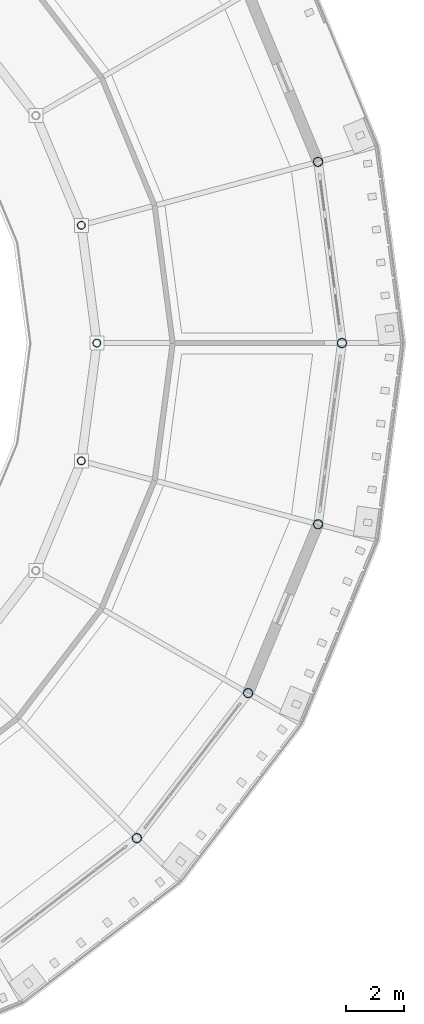
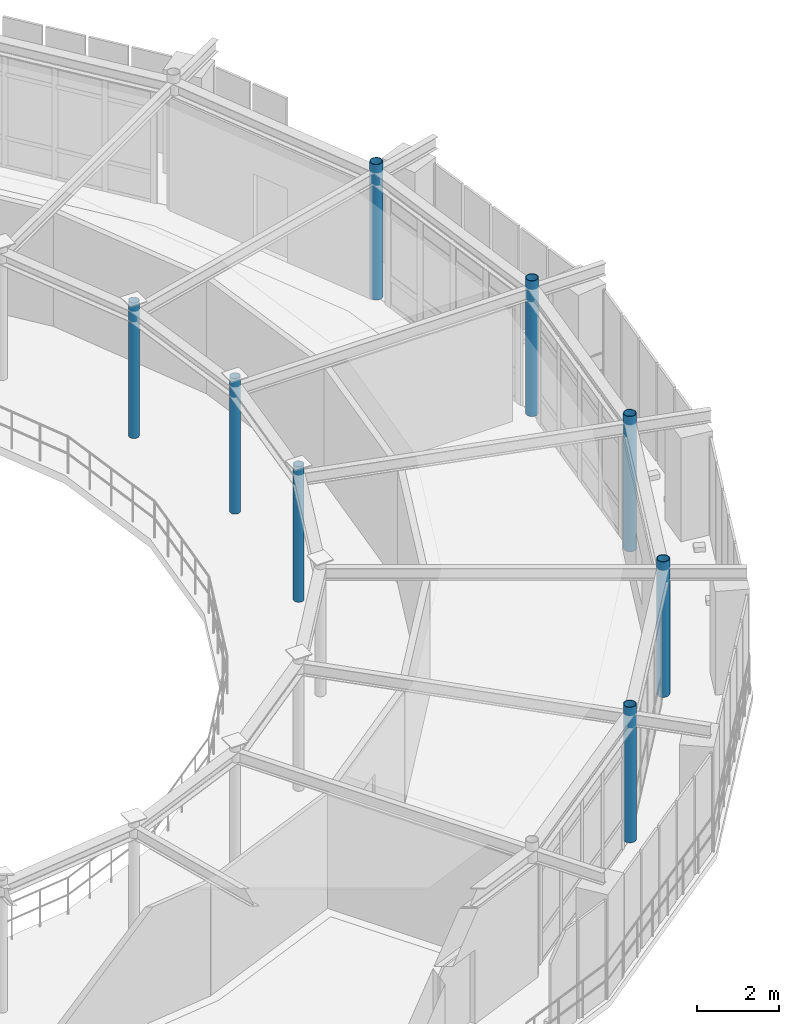
# One storey, part 7 of 70: 8 columns.
"""IFC4 building model written with IfcOpenShell, lengths in metres."""

from ifc_helpers import new_model, si_unit, derived_unit, direction, frame, origin, origin_2d, place, context, subcontext, project, spatial, hollow_circle, extrude, material, material_profile, profile_set, type_object, element, save


model = new_model("IFC4")

# Units and contexts
model_context = context("Model", 3, precision=1e-05, world=origin(), true_north=direction((0.0, 1.0)))
body_context = subcontext(model_context, "Body", "Model", "MODEL_VIEW")
ifc_project = project(units=[si_unit("LENGTHUNIT", "METRE"), si_unit("AREAUNIT", "SQUARE_METRE"), si_unit("VOLUMEUNIT", "CUBIC_METRE"), si_unit("PLANEANGLEUNIT", "RADIAN"), si_unit("MASSUNIT", "GRAM", prefix="KILO"), derived_unit("THERMALTRANSMITTANCEUNIT", [(si_unit("POWERUNIT", "WATT"), 1), (si_unit("AREAUNIT", "SQUARE_METRE"), -1), (si_unit("THERMODYNAMICTEMPERATUREUNIT", "KELVIN"), -1)])], contexts=[model_context])

# Site, building, storey
site_placement = place(None, origin())
site = spatial("IfcSite", under=ifc_project, at=site_placement, CompositionType="ELEMENT")
building_placement = place(site_placement, origin())
building = spatial("IfcBuilding", under=site, at=building_placement, Name="Yasenodar Specialist Clinic", CompositionType="ELEMENT")
storey_placement = place(building_placement, frame((0.0, 0.0, 13.199951171875)))
storey = spatial("IfcBuildingStorey", under=building, at=storey_placement, Name="L03", CompositionType="ELEMENT", Elevation=13.199951171875)

# Columns
ifc_material = material(Name="Steel S355", Category="steel")
ifc_material_profile_1 = material_profile(ifc_material, hollow_circle(Radius=0.136474609375, WallThickness=0.012451171875, at=origin_2d()), Name="CHS 273x12.5")
ifc_profile_set_1 = profile_set([ifc_material_profile_1], Name="Steel S355")
column_type_1 = type_object("IfcColumnType", Name="COL-ST-CHS273", PredefinedType="COLUMN", material=ifc_profile_set_1)
for number, where, z_axis, x_axis, name in (
    (1, (96.60009765625, 58.800048828125, 0.0), (0.0, 0.0, 1.0), (1.0, 0.0, 0.0), "L03 Drum V1 Inner Column 01"),
    (2, (96.068359375, 62.837646484375, 0.0), (0.0, 0.0, 1.0), (1.0, 0.0, 0.0), "L03 Drum V1 Inner Column 02"),
    (3, (96.068359375, 54.762451171875, 0.0), (0.0, 0.0, 1.0), (1.0, 0.0, 0.0), "L03 Drum V1 Inner Column 24"),
):
    element("IfcColumn", number, at=place(storey_placement, frame(where, z_axis=z_axis, x_axis=x_axis)), inside=storey, type_object=column_type_1, Name=name, PredefinedType="COLUMN", context=body_context, shape_type="SweptSolid", body=[
        extrude(hollow_circle(Radius=0.136474609375, WallThickness=0.012451171875, at=origin_2d()), origin(), (0.0, 0.0, 1.0), 4.050048828125),
    ])
ifc_material_profile_2 = material_profile(ifc_material, hollow_circle(Radius=0.161865234375, WallThickness=0.01611328125, at=origin_2d()), Name="CHS 323.9x16")
ifc_profile_set_2 = profile_set([ifc_material_profile_2], Name="Steel S355")
column_type_2 = type_object("IfcColumnType", Name="COL-ST-CHS324", PredefinedType="COLUMN", material=ifc_profile_set_2)
for number, where, z_axis, x_axis, name in (
    (4, (105.0, 58.800048828125, 0.0), (0.0, 0.0, 1.0), (1.0, 0.0, 0.0), "L03 Drum V1 Outer Column 01"),
    (5, (104.18212890625, 65.01171875, 0.0), (0.0, 0.0, 1.0), (1.0, 0.0, 0.0), "L03 Drum V1 Outer Column 02"),
    (6, (97.970703125, 41.829345703125, 0.0), (0.0, 0.0, 1.0), (1.0, 0.0, 0.0), "L03 Drum V1 Outer Column 22"),
    (7, (101.78466796875, 46.800048828125, 0.0), (0.0, 0.0, 1.0), (1.0, 0.0, 0.0), "L03 Drum V1 Outer Column 23"),
    (8, (104.18212890625, 52.58837890625, 0.0), (0.0, 0.0, 1.0), (1.0, 0.0, 0.0), "L03 Drum V1 Outer Column 24"),
):
    element("IfcColumn", number, at=place(storey_placement, frame(where, z_axis=z_axis, x_axis=x_axis)), inside=storey, type_object=column_type_2, Name=name, PredefinedType="COLUMN", context=body_context, shape_type="SweptSolid", body=[
        extrude(hollow_circle(Radius=0.161865234375, WallThickness=0.01611328125, at=origin_2d()), origin(), (0.0, 0.0, 1.0), 4.050048828125),
    ])

save(model, "model.ifc")
